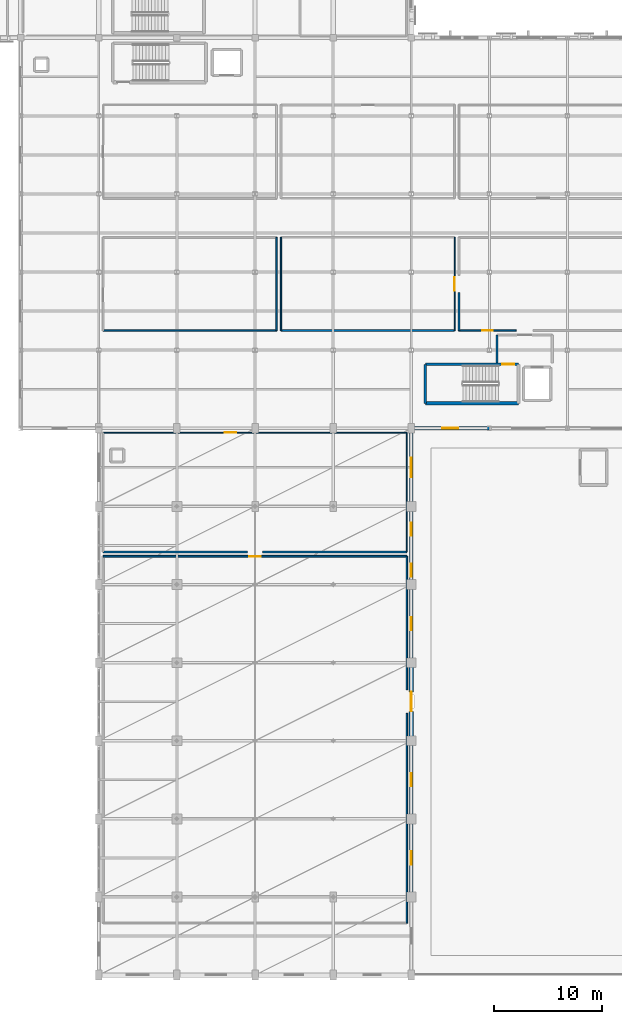
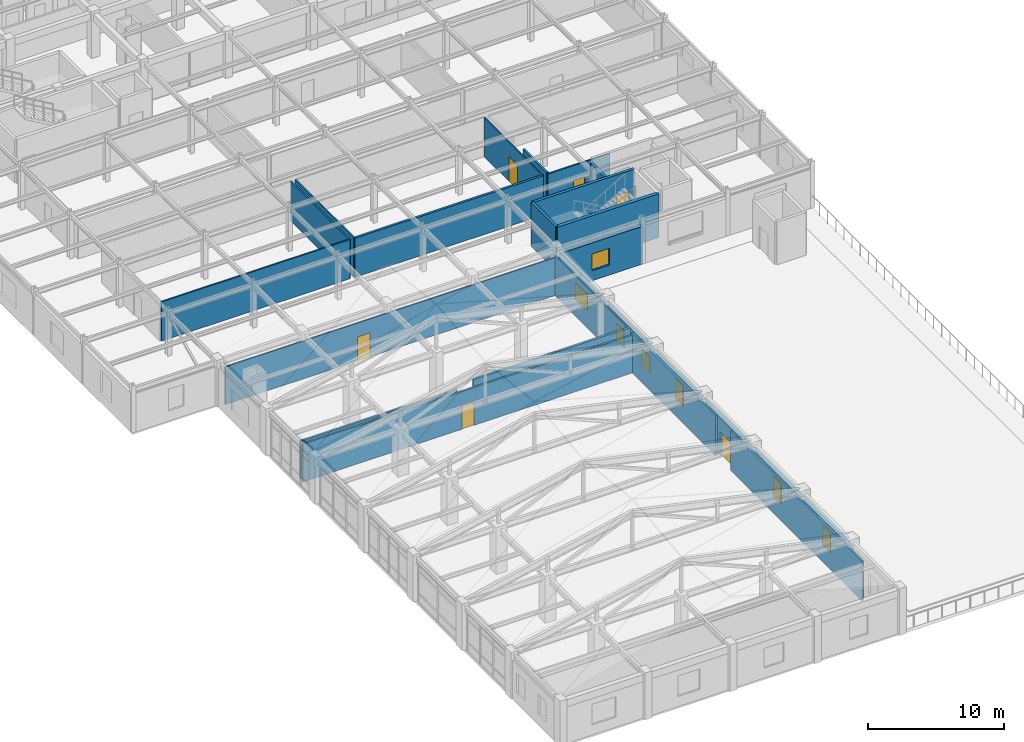
# One storey, part 98 of 113: 25 walls, 7 windows, 6 doors, 13 openings.
"""IFC4 building model written with IfcOpenShell, lengths in metres."""

from ifc_helpers import new_model, si_unit, direction, frame, frame_2d, origin, place, context, subcontext, project, spatial, rectangle, extrude, material, layer, layer_set, type_object, element, fill, save


model = new_model("IFC4")

# Units and contexts
model_context = context("Model", 3, precision=1e-05, world=origin(), true_north=direction((0.0, 1.0)))
body_context = subcontext(model_context, "Body", "Model", "MODEL_VIEW")
ifc_project = project(units=[si_unit("LENGTHUNIT", "METRE"), si_unit("AREAUNIT", "SQUARE_METRE"), si_unit("VOLUMEUNIT", "CUBIC_METRE"), si_unit("PLANEANGLEUNIT", "RADIAN"), si_unit("MASSUNIT", "GRAM", prefix="KILO")], contexts=[model_context])

# Site, building, storey
site_placement = place(None, origin())
site = spatial("IfcSite", under=ifc_project, at=site_placement, CompositionType="ELEMENT")
building_placement = place(site_placement, origin())
building = spatial("IfcBuilding", under=site, at=building_placement, Name="Carrowvane Square Congress Hotel", CompositionType="ELEMENT")
storey_placement = place(building_placement, frame((0.0, 0.0, 15.0)))
storey = spatial("IfcBuildingStorey", under=building, at=storey_placement, Name="L03", CompositionType="ELEMENT", Elevation=15.0)

# Wall, opening, window
ifc_material_1 = material(Name="Portland limestone cladding", Category="masonry")
ifc_layer_1 = layer(ifc_material_1, 0.35009765625)
ifc_layer_set_1 = layer_set([ifc_layer_1], Name="Portland limestone cladding")
wall_type_1 = type_object("IfcWallType", Name="WL-EXT-LS350", PredefinedType="STANDARD", material=ifc_layer_set_1)
wall_1_placement = place(storey_placement, frame((162.800048828125, 55.800048828125, 0.0), z_axis=(0.0, 0.0, 1.0), x_axis=(0.0, -1.0, 0.0)))
wall_1 = element("IfcWall", 1, at=wall_1_placement, inside=storey, type_object=wall_type_1, Name="L03 exterior facade wall 372", PredefinedType="STANDARD", context=body_context, shape_type="SweptSolid", body=[
    extrude(rectangle(XDim=7.199951171875, YDim=0.35009765625, at=frame_2d((3.60009765625, 0.0))), origin(), (0.0, 0.0, 1.0), 3.38818359375),
])
opening_1_placement = place(wall_1_placement, frame((2.699951171875, 0.0, 0.89990234375)))
opening_1 = element("IfcOpeningElement", 2, at=opening_1_placement, cuts=wall_1, Name="Opening W-16", PredefinedType="OPENING", context=body_context, shape_type="SweptSolid", body=[
    extrude(rectangle(XDim=1.800048828125, YDim=1.5, at=frame_2d((0.89990234375, 0.75))), frame((0.0, 0.18505859375, 0.0), z_axis=(0.0, -1.0, 0.0), x_axis=(1.0, 0.0, 0.0)), (0.0, 0.0, 1.0), 0.3701171875),
])
ifc_material_2 = material(Name="Double-glazed low-E glass", Category="glass")
window_type_1 = type_object("IfcWindowType", Name="WIN-16", PartitioningType="SINGLE_PANEL", PredefinedType="WINDOW", material=ifc_material_2)
window_1_placement = place(opening_1_placement, origin())
window_1 = element("IfcWindow", 3, at=window_1_placement, inside=storey, type_object=window_type_1, Name="L03 facade window 194", OverallHeight=1.5, OverallWidth=1.800048828125, PartitioningType="SINGLE_PANEL", PredefinedType="WINDOW", context=body_context, shape_type="SweptSolid", body=[
    extrude(rectangle(XDim=1.800048828125, YDim=1.5, at=frame_2d((0.89990234375, 0.75))), frame((0.0, 0.030029296875, 0.0), z_axis=(0.0, -1.0, 0.0), x_axis=(1.0, 0.0, 0.0)), (0.0, 0.0, 1.0), 0.06005859375),
])
fill(opening_1, window_1)

# Wall, openings, windows
wall_2_placement = place(storey_placement, frame((162.800048828125, 48.60009765625, 0.0), z_axis=(0.0, 0.0, 1.0), x_axis=(0.0, -1.0, 0.0)))
wall_2 = element("IfcWall", 4, at=wall_2_placement, inside=storey, type_object=wall_type_1, Name="L03 exterior facade wall 373", PredefinedType="STANDARD", context=body_context, shape_type="SweptSolid", body=[
    extrude(rectangle(XDim=7.2001953125, YDim=0.35009765625, at=frame_2d((3.60009765625, 0.0))), origin(), (0.0, 0.0, 1.0), 3.38818359375),
])
opening_2_placement = place(wall_2_placement, frame((1.5, 0.0, 0.89990234375)))
opening_2 = element("IfcOpeningElement", 5, at=opening_2_placement, cuts=wall_2, Name="Opening W-01", PredefinedType="OPENING", context=body_context, shape_type="SweptSolid", body=[
    extrude(rectangle(XDim=1.199951171875, YDim=1.5, at=frame_2d((0.60009765625, 0.75))), frame((0.0, 0.18505859375, 0.0), z_axis=(0.0, -1.0, 0.0), x_axis=(1.0, 0.0, 0.0)), (0.0, 0.0, 1.0), 0.3701171875),
])
opening_3_placement = place(wall_2_placement, frame((5.300048828125, 0.0, 0.89990234375)))
opening_3 = element("IfcOpeningElement", 6, at=opening_3_placement, cuts=wall_2, Name="Opening W-01", PredefinedType="OPENING", context=body_context, shape_type="SweptSolid", body=[
    extrude(rectangle(XDim=1.199951171875, YDim=1.5, at=frame_2d((0.60009765625, 0.75))), frame((0.0, 0.18505859375, 0.0), z_axis=(0.0, -1.0, 0.0), x_axis=(1.0, 0.0, 0.0)), (0.0, 0.0, 1.0), 0.3701171875),
])
ifc_material_3 = material(Name="Double-glazed low-E glass", Category="glass")
window_type_2 = type_object("IfcWindowType", Name="WIN-01", PartitioningType="SINGLE_PANEL", PredefinedType="WINDOW", material=ifc_material_3)
window_2_placement = place(opening_2_placement, origin())
window_2 = element("IfcWindow", 7, at=window_2_placement, inside=storey, type_object=window_type_2, Name="L03 facade window 195", OverallHeight=1.5, OverallWidth=1.199951171875, PartitioningType="SINGLE_PANEL", PredefinedType="WINDOW", context=body_context, shape_type="SweptSolid", body=[
    extrude(rectangle(XDim=1.199951171875, YDim=1.5, at=frame_2d((0.60009765625, 0.75))), frame((0.0, 0.030029296875, 0.0), z_axis=(0.0, -1.0, 0.0), x_axis=(1.0, 0.0, 0.0)), (0.0, 0.0, 1.0), 0.06005859375),
])
fill(opening_2, window_2)
window_3_placement = place(opening_3_placement, origin())
window_3 = element("IfcWindow", 8, at=window_3_placement, inside=storey, type_object=window_type_2, Name="L03 split-bay facade window WIN-L03-0195-2", OverallHeight=1.5, OverallWidth=1.199951171875, PartitioningType="SINGLE_PANEL", PredefinedType="WINDOW", context=body_context, shape_type="SweptSolid", body=[
    extrude(rectangle(XDim=1.199951171875, YDim=1.5, at=frame_2d((0.60009765625, 0.75))), frame((0.0, 0.030029296875, 0.0), z_axis=(0.0, -1.0, 0.0), x_axis=(1.0, 0.0, 0.0)), (0.0, 0.0, 1.0), 0.06005859375),
])
fill(opening_3, window_3)

# Wall, opening, window
wall_3_placement = place(storey_placement, frame((162.800048828125, 41.39990234375, 0.0), z_axis=(0.0, 0.0, 1.0), x_axis=(0.0, -1.0, 0.0)))
wall_3 = element("IfcWall", 9, at=wall_3_placement, inside=storey, type_object=wall_type_1, Name="L03 exterior facade wall 374", PredefinedType="STANDARD", context=body_context, shape_type="SweptSolid", body=[
    extrude(rectangle(XDim=7.199951171875, YDim=0.35009765625, at=frame_2d((3.60009765625, 0.0))), origin(), (0.0, 0.0, 1.0), 3.38818359375),
])
opening_4_placement = place(wall_3_placement, frame((3.0, 0.0, 0.89990234375)))
opening_4 = element("IfcOpeningElement", 10, at=opening_4_placement, cuts=wall_3, Name="Opening W-01", PredefinedType="OPENING", context=body_context, shape_type="SweptSolid", body=[
    extrude(rectangle(XDim=1.199951171875, YDim=1.800048828125, at=frame_2d((0.60009765625, 0.89990234375))), frame((0.0, 0.18505859375, 0.0), z_axis=(0.0, -1.0, 0.0), x_axis=(1.0, 0.0, 0.0)), (0.0, 0.0, 1.0), 0.3701171875),
])
window_4_placement = place(opening_4_placement, origin())
window_4 = element("IfcWindow", 11, at=window_4_placement, inside=storey, type_object=window_type_2, Name="L03 facade window 196", OverallHeight=1.800048828125, OverallWidth=1.199951171875, PartitioningType="SINGLE_PANEL", PredefinedType="WINDOW", context=body_context, shape_type="SweptSolid", body=[
    extrude(rectangle(XDim=1.199951171875, YDim=1.800048828125, at=frame_2d((0.60009765625, 0.89990234375))), frame((0.0, 0.030029296875, 0.0), z_axis=(0.0, -1.0, 0.0), x_axis=(1.0, 0.0, 0.0)), (0.0, 0.0, 1.0), 0.06005859375),
])
fill(opening_4, window_4)

wall_4_placement = place(storey_placement, frame((162.800048828125, 27.0, 0.0), z_axis=(0.0, 0.0, 1.0), x_axis=(0.0, -1.0, 0.0)))
wall_4 = element("IfcWall", 12, at=wall_4_placement, inside=storey, type_object=wall_type_1, Name="L03 exterior facade wall 376", PredefinedType="STANDARD", context=body_context, shape_type="SweptSolid", body=[
    extrude(rectangle(XDim=7.199951171875, YDim=0.35009765625, at=frame_2d((3.60009765625, 0.0))), origin(), (0.0, 0.0, 1.0), 3.38818359375),
])
opening_5_placement = place(wall_4_placement, frame((3.0, 0.0, 0.89990234375)))
opening_5 = element("IfcOpeningElement", 13, at=opening_5_placement, cuts=wall_4, Name="Opening W-01", PredefinedType="OPENING", context=body_context, shape_type="SweptSolid", body=[
    extrude(rectangle(XDim=1.199951171875, YDim=1.800048828125, at=frame_2d((0.60009765625, 0.89990234375))), frame((0.0, 0.18505859375, 0.0), z_axis=(0.0, -1.0, 0.0), x_axis=(1.0, 0.0, 0.0)), (0.0, 0.0, 1.0), 0.3701171875),
])
window_5_placement = place(opening_5_placement, origin())
window_5 = element("IfcWindow", 14, at=window_5_placement, inside=storey, type_object=window_type_2, Name="L03 facade window 197", OverallHeight=1.800048828125, OverallWidth=1.199951171875, PartitioningType="SINGLE_PANEL", PredefinedType="WINDOW", context=body_context, shape_type="SweptSolid", body=[
    extrude(rectangle(XDim=1.199951171875, YDim=1.800048828125, at=frame_2d((0.60009765625, 0.89990234375))), frame((0.0, 0.030029296875, 0.0), z_axis=(0.0, -1.0, 0.0), x_axis=(1.0, 0.0, 0.0)), (0.0, 0.0, 1.0), 0.06005859375),
])
fill(opening_5, window_5)

wall_5_placement = place(storey_placement, frame((162.800048828125, 19.800048828125, 0.0), z_axis=(0.0, 0.0, 1.0), x_axis=(0.0, -1.0, 0.0)))
wall_5 = element("IfcWall", 15, at=wall_5_placement, inside=storey, type_object=wall_type_1, Name="L03 exterior facade wall 377", PredefinedType="STANDARD", context=body_context, shape_type="SweptSolid", body=[
    extrude(rectangle(XDim=7.199951171875, YDim=0.35009765625, at=frame_2d((3.60009765625, 0.0))), origin(), (0.0, 0.0, 1.0), 3.38818359375),
])
opening_6_placement = place(wall_5_placement, frame((2.97509765625, 0.0, 0.89990234375)))
opening_6 = element("IfcOpeningElement", 16, at=opening_6_placement, cuts=wall_5, Name="Opening W-21", PredefinedType="OPENING", context=body_context, shape_type="SweptSolid", body=[
    extrude(rectangle(XDim=1.25, YDim=1.75, at=frame_2d((0.625, 0.875))), frame((0.0, 0.18505859375, 0.0), z_axis=(0.0, -1.0, 0.0), x_axis=(1.0, 0.0, 0.0)), (0.0, 0.0, 1.0), 0.3701171875),
])
ifc_material_4 = material(Name="Double-glazed low-E glass", Category="glass")
window_type_3 = type_object("IfcWindowType", Name="WIN-21", PartitioningType="SINGLE_PANEL", PredefinedType="WINDOW", material=ifc_material_4)
window_6_placement = place(opening_6_placement, origin())
window_6 = element("IfcWindow", 17, at=window_6_placement, inside=storey, type_object=window_type_3, Name="L03 facade window 198", OverallHeight=1.75, OverallWidth=1.25, PartitioningType="SINGLE_PANEL", PredefinedType="WINDOW", context=body_context, shape_type="SweptSolid", body=[
    extrude(rectangle(XDim=1.25, YDim=1.75, at=frame_2d((0.625, 0.875))), frame((0.0, 0.030029296875, 0.0), z_axis=(0.0, -1.0, 0.0), x_axis=(1.0, 0.0, 0.0)), (0.0, 0.0, 1.0), 0.06005859375),
])
fill(opening_6, window_6)

# Wall, opening, door
ifc_material_5 = material(Name="Portland limestone cladding", Category="masonry")
ifc_layer_2 = layer(ifc_material_5, 0.3798828125)
ifc_layer_set_2 = layer_set([ifc_layer_2], Name="Portland limestone cladding")
wall_type_2 = type_object("IfcWallType", Name="WL-EXT-LS380", PredefinedType="STANDARD", material=ifc_layer_set_2)
wall_6_placement = place(storey_placement, frame((162.800048828125, 34.199951171875, 0.0), z_axis=(0.0, 0.0, 1.0), x_axis=(0.0, -1.0, 0.0)))
wall_6 = element("IfcWall", 18, at=wall_6_placement, inside=storey, type_object=wall_type_2, Name="L03 terrace access wall 375", PredefinedType="STANDARD", context=body_context, shape_type="SweptSolid", body=[
    extrude(rectangle(XDim=7.199951171875, YDim=0.3798828125, at=frame_2d((3.60009765625, 0.0))), origin(), (0.0, 0.0, 1.0), 3.38818359375),
])
opening_7_placement = place(wall_6_placement, frame((2.699951171875, 0.0, 0.0)))
opening_7 = element("IfcOpeningElement", 19, at=opening_7_placement, cuts=wall_6, Name="Opening TD-1", PredefinedType="OPENING", context=body_context, shape_type="SweptSolid", body=[
    extrude(rectangle(XDim=1.800048828125, YDim=2.14990234375, at=frame_2d((0.89990234375, 1.074951171875))), frame((0.0, 0.199951171875, 0.0), z_axis=(0.0, -1.0, 0.0), x_axis=(1.0, 0.0, 0.0)), (0.0, 0.0, 1.0), 0.39990234375),
])
ifc_material_6 = material(Name="Anodised aluminium", Category="aluminium")
door_type_1 = type_object("IfcDoorType", Name="DR-TER-1800", OperationType="DOUBLE_DOOR_SINGLE_SWING", PredefinedType="DOOR", material=ifc_material_6)
door_1_placement = place(opening_7_placement, origin())
door_1 = element("IfcDoor", 20, at=door_1_placement, inside=storey, type_object=door_type_1, Name="L03 terrace access door to TER-V2-L03", OperationType="DOUBLE_DOOR_SINGLE_SWING", OverallHeight=2.14990234375, OverallWidth=1.800048828125, PredefinedType="DOOR", context=body_context, shape_type="SweptSolid", body=[
    extrude(rectangle(XDim=1.800048828125, YDim=2.14990234375, at=frame_2d((0.89990234375, 1.074951171875))), frame((0.0, 0.02490234375, 0.0), z_axis=(0.0, -1.0, 0.0), x_axis=(1.0, 0.0, 0.0)), (0.0, 0.0, 1.0), 0.050048828125),
])
fill(opening_7, door_1)

# Wall, opening, window
ifc_material_7 = material(Name="Glazed terracotta rainscreen", Category="masonry")
ifc_layer_3 = layer(ifc_material_7, 0.360107421875)
ifc_layer_set_3 = layer_set([ifc_layer_3], Name="Glazed terracotta rainscreen")
wall_type_3 = type_object("IfcWallType", Name="WL-EXT-TC360", PredefinedType="STANDARD", material=ifc_layer_set_3)
wall_7_placement = place(storey_placement, frame((170.0, 55.800048828125, 0.0), z_axis=(0.0, 0.0, 1.0), x_axis=(-1.0, 0.0, 0.0)))
wall_7 = element("IfcWall", 21, at=wall_7_placement, inside=storey, type_object=wall_type_3, Name="L03 exterior facade wall 371", PredefinedType="STANDARD", context=body_context, shape_type="SweptSolid", body=[
    extrude(rectangle(XDim=7.199951171875, YDim=0.360107421875, at=frame_2d((3.60009765625, 0.0))), origin(), (0.0, 0.0, 1.0), 3.38818359375),
])
opening_8_placement = place(wall_7_placement, frame((2.85009765625, 0.0, 0.89990234375)))
opening_8 = element("IfcOpeningElement", 22, at=opening_8_placement, cuts=wall_7, Name="Opening W-15", PredefinedType="OPENING", context=body_context, shape_type="SweptSolid", body=[
    extrude(rectangle(XDim=1.5, YDim=1.5, at=frame_2d((0.75, 0.75))), frame((0.0, 0.18994140625, 0.0), z_axis=(0.0, -1.0, 0.0), x_axis=(1.0, 0.0, 0.0)), (0.0, 0.0, 1.0), 0.380126953125),
])
ifc_material_8 = material(Name="Double-glazed low-E glass", Category="glass")
window_type_4 = type_object("IfcWindowType", Name="WIN-15", PartitioningType="SINGLE_PANEL", PredefinedType="WINDOW", material=ifc_material_8)
window_7_placement = place(opening_8_placement, origin())
window_7 = element("IfcWindow", 23, at=window_7_placement, inside=storey, type_object=window_type_4, Name="L03 facade window 193", OverallHeight=1.5, OverallWidth=1.5, PartitioningType="SINGLE_PANEL", PredefinedType="WINDOW", context=body_context, shape_type="SweptSolid", body=[
    extrude(rectangle(XDim=1.5, YDim=1.5, at=frame_2d((0.75, 0.75))), frame((0.0, 0.030029296875, 0.0), z_axis=(0.0, -1.0, 0.0), x_axis=(1.0, 0.0, 0.0)), (0.0, 0.0, 1.0), 0.06005859375),
])
fill(opening_8, window_7)

# Wall, opening, door
ifc_material_9 = material(Name="Acoustic gypsum board", Category="gypsum")
ifc_layer_4 = layer(ifc_material_9, 0.155029296875)
ifc_layer_set_4 = layer_set([ifc_layer_4], Name="Acoustic gypsum board")
wall_type_4 = type_object("IfcWallType", Name="WL-FIR-155", PredefinedType="PARTITIONING", material=ifc_layer_set_4)
wall_8_placement = place(storey_placement, frame((134.39990234375, 44.0, 0.0), z_axis=(0.0, 0.0, 1.0), x_axis=(1.0, 0.0, 0.0)))
wall_8 = element("IfcWall", 24, at=wall_8_placement, inside=storey, type_object=wall_type_4, Name="L03 Garden Banquet Pavilion Hall partition", PredefinedType="PARTITIONING", context=body_context, shape_type="SweptSolid", body=[
    extrude(rectangle(XDim=28.0, YDim=0.155029296875, at=frame_2d((14.0, 0.0))), origin(), (0.0, 0.0, 1.0), 3.38818359375),
])
opening_9_placement = place(wall_8_placement, frame((13.47998046875, 0.0, 0.0)))
opening_9 = element("IfcOpeningElement", 25, at=opening_9_placement, cuts=wall_8, Name="Opening ID-07", PredefinedType="OPENING", context=body_context, shape_type="SweptSolid", body=[
    extrude(rectangle(XDim=1.0400390625, YDim=2.1201171875, at=frame_2d((0.52001953125, 1.06005859375))), frame((0.0, 0.08740234375, 0.0), z_axis=(0.0, -1.0, 0.0), x_axis=(1.0, 0.0, 0.0)), (0.0, 0.0, 1.0), 0.175048828125),
])
ifc_material_10 = material(Name="European oak timber", Category="wood")
door_type_2 = type_object("IfcDoorType", Name="DR-INT-1040x2120", OperationType="NOTDEFINED", PredefinedType="DOOR", material=ifc_material_10)
door_2_placement = place(opening_9_placement, origin())
door_2 = element("IfcDoor", 26, at=door_2_placement, inside=storey, type_object=door_type_2, Name="L03 Garden Banquet Pavilion Hall entrance door", OperationType="SINGLE_SWING_LEFT", OverallHeight=2.1201171875, OverallWidth=1.0400390625, PredefinedType="DOOR", context=body_context, shape_type="SweptSolid", body=[
    extrude(rectangle(XDim=1.0400390625, YDim=2.1201171875, at=frame_2d((0.52001953125, 1.06005859375))), frame((0.0, 0.02490234375, 0.0), z_axis=(0.0, -1.0, 0.0), x_axis=(1.0, 0.0, 0.0)), (0.0, 0.0, 1.0), 0.050048828125),
])
fill(opening_9, door_2)

# Walls
ifc_material_11 = material(Name="Acoustic gypsum board", Category="gypsum")
ifc_layer_5 = layer(ifc_material_11, 0.169921875)
ifc_layer_set_5 = layer_set([ifc_layer_5], Name="Acoustic gypsum board")
wall_type_5 = type_object("IfcWallType", Name="WL-FIR-170", PredefinedType="PARTITIONING", material=ifc_layer_set_5)
wall_9_placement = place(storey_placement, frame((147.699951171875, 44.39990234375, 0.0), z_axis=(0.0, 0.0, 1.0), x_axis=(-1.0, 0.0, 0.0)))
element("IfcWall", 27, at=wall_9_placement, inside=storey, type_object=wall_type_5, Name="L03 Pavilion Champagne Bar and Pantry partition", PredefinedType="PARTITIONING", context=body_context, shape_type="SweptSolid", body=[
    extrude(rectangle(XDim=13.300048828125, YDim=0.169921875, at=frame_2d((6.64990234375, 0.0))), origin(), (0.0, 0.0, 1.0), 3.38818359375),
])
wall_10_placement = place(storey_placement, frame((167.199951171875, 64.800048828125, 0.0), z_axis=(0.0, 0.0, 1.0), x_axis=(0.0, 1.0, 0.0)))
element("IfcWall", 28, at=wall_10_placement, inside=storey, type_object=wall_type_5, Name="L03 Executive Conference Suite 303 partition", PredefinedType="PARTITIONING", context=body_context, shape_type="SweptSolid", body=[
    extrude(rectangle(XDim=3.494873046875, YDim=0.169921875, at=frame_2d((1.74755859375, 0.0))), origin(), (0.0, 0.0, 1.0), 3.618408203125),
])
ifc_material_12 = material(Name="Acoustic gypsum board", Category="gypsum")
ifc_layer_6 = layer(ifc_material_12, 0.18505859375)
ifc_layer_set_6 = layer_set([ifc_layer_6], Name="Acoustic gypsum board")
wall_type_6 = type_object("IfcWallType", Name="WL-FIR-185", PredefinedType="PARTITIONING", material=ifc_layer_set_6)
wall_11_placement = place(storey_placement, frame((162.39990234375, 44.39990234375, 0.0), z_axis=(0.0, 0.0, 1.0), x_axis=(-1.0, 0.0, 0.0)))
element("IfcWall", 29, at=wall_11_placement, inside=storey, type_object=wall_type_6, Name="L03 Pavilion Champagne Bar and Pantry partition", PredefinedType="PARTITIONING", context=body_context, shape_type="SweptSolid", body=[
    extrude(rectangle(XDim=13.2998046875, YDim=0.18505859375, at=frame_2d((6.64990234375, 0.0))), origin(), (0.0, 0.0, 1.0), 3.800048828125),
])
wall_12_placement = place(storey_placement, frame((166.800048828125, 64.800048828125, 0.0), z_axis=(0.0, 0.0, 1.0), x_axis=(-1.0, 0.0, 0.0)))
element("IfcWall", 30, at=wall_12_placement, inside=storey, type_object=wall_type_6, Name="L03 Executive Conference Suite 302 partition", PredefinedType="PARTITIONING", context=body_context, shape_type="SweptSolid", body=[
    extrude(rectangle(XDim=16.0, YDim=0.18505859375, at=frame_2d((8.0, 0.0))), origin(), (0.0, 0.0, 1.0), 3.515625),
])
ifc_material_13 = material(Name="Acoustic gypsum board", Category="gypsum")
ifc_layer_7 = layer(ifc_material_13, 0.205078125)
ifc_layer_set_7 = layer_set([ifc_layer_7], Name="Acoustic gypsum board")
wall_type_7 = type_object("IfcWallType", Name="WL-FIR-205", PredefinedType="PARTITIONING", material=ifc_layer_set_7)
wall_13_placement = place(storey_placement, frame((170.699951171875, 64.39990234375, 0.0), z_axis=(0.0, 0.0, 1.0), x_axis=(0.0, -1.0, 0.0)))
element("IfcWall", 31, at=wall_13_placement, inside=storey, type_object=wall_type_7, Name="L03 Firefighting Lobby C4 wall west", PredefinedType="PARTITIONING", context=body_context, shape_type="SweptSolid", body=[
    extrude(rectangle(XDim=2.599853515625, YDim=0.205078125, at=frame_2d((1.2998046875, 0.0))), origin(), (0.0, 0.0, 1.0), 3.515625),
])
ifc_material_14 = material(Name="Acoustic gypsum board", Category="gypsum")
ifc_layer_8 = layer(ifc_material_14, 0.097900390625)
ifc_layer_set_8 = layer_set([ifc_layer_8], Name="Acoustic gypsum board")
wall_type_8 = type_object("IfcWallType", Name="WL-PRT-098", PredefinedType="PARTITIONING", material=ifc_layer_set_8)
wall_14_placement = place(storey_placement, frame((162.39990234375, 55.39990234375, 0.0), z_axis=(0.0, 0.0, 1.0), x_axis=(0.0, -1.0, 0.0)))
element("IfcWall", 32, at=wall_14_placement, inside=storey, type_object=wall_type_8, Name="L03 Pavilion Champagne Bar and Pantry partition", PredefinedType="PARTITIONING", context=body_context, shape_type="SweptSolid", body=[
    extrude(rectangle(XDim=11.0, YDim=0.097900390625, at=frame_2d((5.5, 0.0))), origin(), (0.0, 0.0, 1.0), 3.566650390625),
])

# Wall, opening, door
wall_15_placement = place(storey_placement, frame((166.800048828125, 73.39990234375, 0.0), z_axis=(0.0, 0.0, 1.0), x_axis=(0.0, -1.0, 0.0)))
wall_15 = element("IfcWall", 33, at=wall_15_placement, inside=storey, type_object=wall_type_8, Name="L03 Executive Conference Suite 302 partition", PredefinedType="PARTITIONING", context=body_context, shape_type="SweptSolid", body=[
    extrude(rectangle(XDim=8.599853515625, YDim=0.097900390625, at=frame_2d((4.2998046875, 0.0))), origin(), (0.0, 0.0, 1.0), 3.515625),
])
opening_10_placement = place(wall_15_placement, frame((3.675048828125, 0.0, 0.0)))
opening_10 = element("IfcOpeningElement", 34, at=opening_10_placement, cuts=wall_15, Name="Opening ID-10", PredefinedType="OPENING", context=body_context, shape_type="SweptSolid", body=[
    extrude(rectangle(XDim=1.25, YDim=2.199951171875, at=frame_2d((0.625, 1.10009765625))), frame((0.0, 0.058837890625, 0.0), z_axis=(0.0, -1.0, 0.0), x_axis=(1.0, 0.0, 0.0)), (0.0, 0.0, 1.0), 0.117919921875),
])
ifc_material_15 = material(Name="European oak timber", Category="wood")
door_type_3 = type_object("IfcDoorType", Name="DR-INT-1250x2200", OperationType="NOTDEFINED", PredefinedType="DOOR", material=ifc_material_15)
door_3_placement = place(opening_10_placement, origin())
door_3 = element("IfcDoor", 35, at=door_3_placement, inside=storey, type_object=door_type_3, Name="L03 Executive Conference Suite 302 entrance door", OperationType="SINGLE_SWING_RIGHT", OverallHeight=2.199951171875, OverallWidth=1.25, PredefinedType="DOOR", context=body_context, shape_type="SweptSolid", body=[
    extrude(rectangle(XDim=1.25, YDim=2.199951171875, at=frame_2d((0.625, 1.10009765625))), frame((0.0, 0.02490234375, 0.0), z_axis=(0.0, -1.0, 0.0), x_axis=(1.0, 0.0, 0.0)), (0.0, 0.0, 1.0), 0.050048828125),
])
fill(opening_10, door_3)

ifc_material_16 = material(Name="Acoustic gypsum board", Category="gypsum")
ifc_layer_9 = layer(ifc_material_16, 0.10791015625)
ifc_layer_set_9 = layer_set([ifc_layer_9], Name="Acoustic gypsum board")
wall_type_9 = type_object("IfcWallType", Name="WL-PRT-108", PredefinedType="PARTITIONING", material=ifc_layer_set_9)
wall_16_placement = place(storey_placement, frame((134.39990234375, 55.39990234375, 0.0), z_axis=(0.0, 0.0, 1.0), x_axis=(1.0, 0.0, 0.0)))
wall_16 = element("IfcWall", 36, at=wall_16_placement, inside=storey, type_object=wall_type_9, Name="L03 Pavilion Champagne Bar and Pantry partition", PredefinedType="PARTITIONING", context=body_context, shape_type="SweptSolid", body=[
    extrude(rectangle(XDim=28.0, YDim=0.10791015625, at=frame_2d((14.0, 0.0))), origin(), (0.0, 0.0, 1.0), 3.38818359375),
])
opening_11_placement = place(wall_16_placement, frame((11.2099609375, 0.0, 0.0)))
opening_11 = element("IfcOpeningElement", 37, at=opening_11_placement, cuts=wall_16, Name="Opening ID-08", PredefinedType="OPENING", context=body_context, shape_type="SweptSolid", body=[
    extrude(rectangle(XDim=1.080078125, YDim=2.14990234375, at=frame_2d((0.5400390625, 1.074951171875))), frame((0.0, 0.06396484375, 0.0), z_axis=(0.0, -1.0, 0.0), x_axis=(1.0, 0.0, 0.0)), (0.0, 0.0, 1.0), 0.1279296875),
])
ifc_material_17 = material(Name="European oak timber", Category="wood")
door_type_4 = type_object("IfcDoorType", Name="DR-INT-1080x2150", OperationType="NOTDEFINED", PredefinedType="DOOR", material=ifc_material_17)
door_4_placement = place(opening_11_placement, origin())
door_4 = element("IfcDoor", 38, at=door_4_placement, inside=storey, type_object=door_type_4, Name="L03 Pavilion Champagne Bar and Pantry entrance door", OperationType="SINGLE_SWING_RIGHT", OverallHeight=2.14990234375, OverallWidth=1.080078125, PredefinedType="DOOR", context=body_context, shape_type="SweptSolid", body=[
    extrude(rectangle(XDim=1.080078125, YDim=2.14990234375, at=frame_2d((0.5400390625, 1.074951171875))), frame((0.0, 0.02490234375, 0.0), z_axis=(0.0, -1.0, 0.0), x_axis=(1.0, 0.0, 0.0)), (0.0, 0.0, 1.0), 0.050048828125),
])
fill(opening_11, door_4)

# Wall
ifc_material_18 = material(Name="Acoustic gypsum board", Category="gypsum")
ifc_layer_10 = layer(ifc_material_18, 0.117919921875)
ifc_layer_set_10 = layer_set([ifc_layer_10], Name="Acoustic gypsum board")
wall_type_10 = type_object("IfcWallType", Name="WL-PRT-118", PredefinedType="PARTITIONING", material=ifc_layer_set_10)
wall_17_placement = place(storey_placement, frame((150.800048828125, 64.800048828125, 0.0), z_axis=(0.0, 0.0, 1.0), x_axis=(0.0, 1.0, 0.0)))
element("IfcWall", 39, at=wall_17_placement, inside=storey, type_object=wall_type_10, Name="L03 Executive Conference Suite 302 partition", PredefinedType="PARTITIONING", context=body_context, shape_type="SweptSolid", body=[
    extrude(rectangle(XDim=8.599853515625, YDim=0.117919921875, at=frame_2d((4.2998046875, 0.0))), origin(), (0.0, 0.0, 1.0), 3.515625),
])

# Wall, opening, door
wall_18_placement = place(storey_placement, frame((172.469970703125, 64.800048828125, 0.0), z_axis=(0.0, 0.0, 1.0), x_axis=(-1.0, 0.0, 0.0)))
wall_18 = element("IfcWall", 40, at=wall_18_placement, inside=storey, type_object=wall_type_10, Name="L03 Executive Conference Suite 303 partition", PredefinedType="PARTITIONING", context=body_context, shape_type="SweptSolid", body=[
    extrude(rectangle(XDim=5.27001953125, YDim=0.117919921875, at=frame_2d((2.635009765625, 0.0))), origin(), (0.0, 0.0, 1.0), 3.515625),
])
opening_12_placement = place(wall_18_placement, frame((2.14990234375, 0.0, 0.0)))
opening_12 = element("IfcOpeningElement", 41, at=opening_12_placement, cuts=wall_18, Name="Opening ID-19", PredefinedType="OPENING", context=body_context, shape_type="SweptSolid", body=[
    extrude(rectangle(XDim=0.969970703125, YDim=2.159912109375, at=frame_2d((0.48486328125, 1.080078125))), frame((0.0, 0.06884765625, 0.0), z_axis=(0.0, -1.0, 0.0), x_axis=(1.0, 0.0, 0.0)), (0.0, 0.0, 1.0), 0.137939453125),
])
ifc_material_19 = material(Name="European oak timber", Category="wood")
door_type_5 = type_object("IfcDoorType", Name="DR-INT-0970x2160", OperationType="NOTDEFINED", PredefinedType="DOOR", material=ifc_material_19)
door_5_placement = place(opening_12_placement, origin())
door_5 = element("IfcDoor", 42, at=door_5_placement, inside=storey, type_object=door_type_5, Name="L03 Executive Conference Suite 303 entrance door", OperationType="SINGLE_SWING_LEFT", OverallHeight=2.159912109375, OverallWidth=0.969970703125, PredefinedType="DOOR", context=body_context, shape_type="SweptSolid", body=[
    extrude(rectangle(XDim=0.969970703125, YDim=2.159912109375, at=frame_2d((0.48486328125, 1.080078125))), frame((0.0, 0.02490234375, 0.0), z_axis=(0.0, -1.0, 0.0), x_axis=(1.0, 0.0, 0.0)), (0.0, 0.0, 1.0), 0.050048828125),
])
fill(opening_12, door_5)

# Walls
ifc_material_20 = material(Name="Acoustic gypsum board", Category="gypsum")
ifc_layer_11 = layer(ifc_material_20, 0.1279296875)
ifc_layer_set_11 = layer_set([ifc_layer_11], Name="Acoustic gypsum board")
wall_type_11 = type_object("IfcWallType", Name="WL-PRT-128", PredefinedType="PARTITIONING", material=ifc_layer_set_11)
wall_19_placement = place(storey_placement, frame((150.39990234375, 64.800048828125, 0.0), z_axis=(0.0, 0.0, 1.0), x_axis=(-1.0, 0.0, 0.0)))
element("IfcWall", 43, at=wall_19_placement, inside=storey, type_object=wall_type_11, Name="L03 Executive Conference Suite 301 partition", PredefinedType="PARTITIONING", context=body_context, shape_type="SweptSolid", body=[
    extrude(rectangle(XDim=16.0, YDim=0.1279296875, at=frame_2d((8.0, 0.0))), origin(), (0.0, 0.0, 1.0), 3.515625),
])
ifc_material_21 = material(Name="Acoustic gypsum board", Category="gypsum")
ifc_layer_12 = layer(ifc_material_21, 0.137939453125)
ifc_layer_set_12 = layer_set([ifc_layer_12], Name="Acoustic gypsum board")
wall_type_12 = type_object("IfcWallType", Name="WL-PRT-138", PredefinedType="PARTITIONING", material=ifc_layer_set_12)
wall_20_placement = place(storey_placement, frame((162.39990234375, 29.52001953125, 0.0), z_axis=(0.0, 0.0, 1.0), x_axis=(0.0, -1.0, 0.0)))
element("IfcWall", 44, at=wall_20_placement, inside=storey, type_object=wall_type_12, Name="L03 Garden Banquet Pavilion Hall partition", PredefinedType="PARTITIONING", context=body_context, shape_type="SweptSolid", body=[
    extrude(rectangle(XDim=19.320068359375, YDim=0.137939453125, at=frame_2d((9.66015625, 0.0))), origin(), (0.0, 0.0, 1.0), 3.566650390625),
])
wall_21_placement = place(storey_placement, frame((150.39990234375, 73.39990234375, 0.0), z_axis=(0.0, 0.0, 1.0), x_axis=(0.0, -1.0, 0.0)))
element("IfcWall", 45, at=wall_21_placement, inside=storey, type_object=wall_type_12, Name="L03 Executive Conference Suite 301 partition", PredefinedType="PARTITIONING", context=body_context, shape_type="SweptSolid", body=[
    extrude(rectangle(XDim=8.599853515625, YDim=0.137939453125, at=frame_2d((4.2998046875, 0.0))), origin(), (0.0, 0.0, 1.0), 3.515625),
])
ifc_material_22 = material(Name="Acoustic gypsum board", Category="gypsum")
ifc_layer_13 = layer(ifc_material_22, 0.14794921875)
ifc_layer_set_13 = layer_set([ifc_layer_13], Name="Acoustic gypsum board")
wall_type_13 = type_object("IfcWallType", Name="WL-PRT-148", PredefinedType="PARTITIONING", material=ifc_layer_set_13)
wall_22_placement = place(storey_placement, frame((162.39990234375, 44.0, 0.0), z_axis=(0.0, 0.0, 1.0), x_axis=(0.0, -1.0, 0.0)))
element("IfcWall", 46, at=wall_22_placement, inside=storey, type_object=wall_type_13, Name="L03 Garden Banquet Pavilion Hall partition", PredefinedType="PARTITIONING", context=body_context, shape_type="SweptSolid", body=[
    extrude(rectangle(XDim=12.320068359375, YDim=0.14794921875, at=frame_2d((6.16015625, 0.0))), origin(), (0.0, 0.0, 1.0), 3.566650390625),
])
ifc_material_23 = material(Name="Concrete C40/50", Category="concrete")
ifc_layer_14 = layer(ifc_material_23, 0.22509765625)
ifc_layer_set_14 = layer_set([ifc_layer_14], Name="Concrete C40/50")
wall_type_14 = type_object("IfcWallType", Name="WL-SHR-225", PredefinedType="SHEAR", material=ifc_layer_set_14)
wall_23_placement = place(storey_placement, frame((164.10009765625, 61.699951171875, 0.0), z_axis=(0.0, 0.0, 1.0), x_axis=(0.0, -1.0, 0.0)))
element("IfcWall", 47, at=wall_23_placement, inside=storey, type_object=wall_type_14, Name="L03 ST4 core wall west", PredefinedType="SHEAR", context=body_context, shape_type="SweptSolid", body=[
    extrude(rectangle(XDim=3.599853515625, YDim=0.22509765625, at=frame_2d((1.7998046875, 0.0))), origin(), (0.0, 0.0, 1.0), 3.93994140625),
])

# Wall, opening, door
ifc_material_24 = material(Name="Concrete C40/50", Category="concrete")
ifc_layer_15 = layer(ifc_material_24, 0.25)
ifc_layer_set_15 = layer_set([ifc_layer_15], Name="Concrete C40/50")
wall_type_15 = type_object("IfcWallType", Name="WL-SHR-250", PredefinedType="SHEAR", material=ifc_layer_set_15)
wall_24_placement = place(storey_placement, frame((172.699951171875, 61.699951171875, 0.0), z_axis=(0.0, 0.0, 1.0), x_axis=(-1.0, 0.0, 0.0)))
wall_24 = element("IfcWall", 48, at=wall_24_placement, inside=storey, type_object=wall_type_15, Name="L03 ST4 core wall north", PredefinedType="SHEAR", context=body_context, shape_type="SweptSolid", body=[
    extrude(rectangle(XDim=8.599853515625, YDim=0.25, at=frame_2d((4.2998046875, 0.0))), origin(), (0.0, 0.0, 1.0), 3.93994140625),
])
opening_13_placement = place(wall_24_placement, frame((0.425048828125, 0.0, 0.0)))
opening_13 = element("IfcOpeningElement", 49, at=opening_13_placement, cuts=wall_24, Name="Opening FD-01", PredefinedType="OPENING", context=body_context, shape_type="SweptSolid", body=[
    extrude(rectangle(XDim=1.10009765625, YDim=2.10009765625, at=frame_2d((0.550048828125, 1.050048828125))), frame((0.0, 0.135009765625, 0.0), z_axis=(0.0, -1.0, 0.0), x_axis=(1.0, 0.0, 0.0)), (0.0, 0.0, 1.0), 0.27001953125),
])
ifc_material_25 = material(Name="European oak timber", Category="wood")
door_type_6 = type_object("IfcDoorType", Name="DR-FD60-1100x2100", OperationType="NOTDEFINED", PredefinedType="DOOR", material=ifc_material_25)
door_6_placement = place(opening_13_placement, origin())
door_6 = element("IfcDoor", 50, at=door_6_placement, inside=storey, type_object=door_type_6, Name="L03 ST4 fire door", OperationType="SINGLE_SWING_RIGHT", OverallHeight=2.10009765625, OverallWidth=1.10009765625, PredefinedType="DOOR", context=body_context, shape_type="SweptSolid", body=[
    extrude(rectangle(XDim=1.10009765625, YDim=2.10009765625, at=frame_2d((0.550048828125, 1.050048828125))), frame((0.0, 0.02490234375, 0.0), z_axis=(0.0, -1.0, 0.0), x_axis=(1.0, 0.0, 0.0)), (0.0, 0.0, 1.0), 0.050048828125),
])
fill(opening_13, door_6)

# Wall
ifc_material_26 = material(Name="Concrete C40/50", Category="concrete")
ifc_layer_16 = layer(ifc_material_26, 0.300048828125)
ifc_layer_set_16 = layer_set([ifc_layer_16], Name="Concrete C40/50")
wall_type_16 = type_object("IfcWallType", Name="WL-SHR-300", PredefinedType="SHEAR", material=ifc_layer_set_16)
wall_25_placement = place(storey_placement, frame((164.10009765625, 58.10009765625, 0.0), z_axis=(0.0, 0.0, 1.0), x_axis=(1.0, 0.0, 0.0)))
element("IfcWall", 51, at=wall_25_placement, inside=storey, type_object=wall_type_16, Name="L03 ST4 core wall south", PredefinedType="SHEAR", context=body_context, shape_type="SweptSolid", body=[
    extrude(rectangle(XDim=8.599853515625, YDim=0.300048828125, at=frame_2d((4.2998046875, 0.0))), origin(), (0.0, 0.0, 1.0), 3.93994140625),
])

save(model, "model.ifc")
